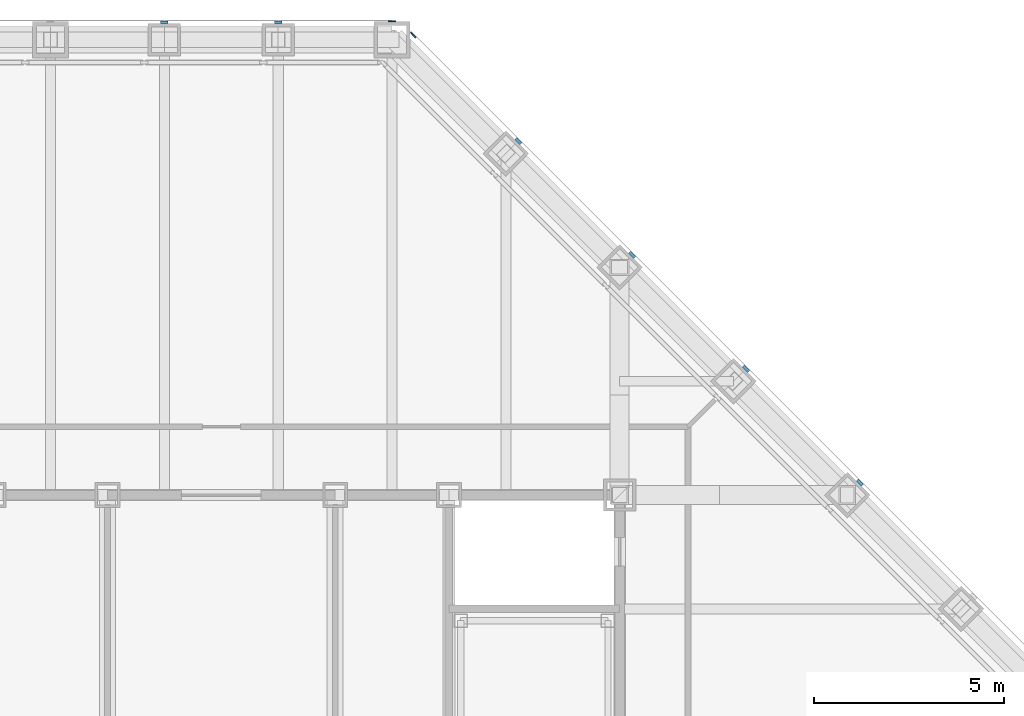
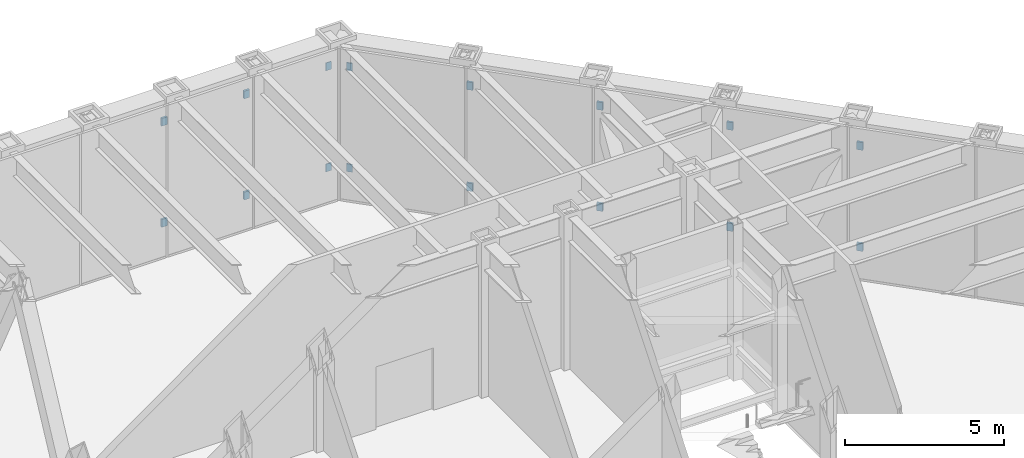
# One storey, part 18 of 28: 16 discrete accessories.
"""IFC4 building model written with IfcOpenShell, lengths in metres."""

from ifc_helpers import new_model, si_unit, direction, frame, origin, origin_2d, place, context, subcontext, project, spatial, rectangle, extrude, material, type_object, element, save


model = new_model("IFC4")

# Units and contexts
model_context = context("Model", 3, precision=1e-05, world=origin(), true_north=direction((0.0, 1.0)))
body_context = subcontext(model_context, "Body", "Model", "MODEL_VIEW")
ifc_project = project(units=[si_unit("LENGTHUNIT", "METRE"), si_unit("AREAUNIT", "SQUARE_METRE"), si_unit("VOLUMEUNIT", "CUBIC_METRE"), si_unit("PLANEANGLEUNIT", "RADIAN"), si_unit("MASSUNIT", "GRAM", prefix="KILO")], contexts=[model_context])

# Site, building, storey
site_placement = place(None, origin())
site = spatial("IfcSite", under=ifc_project, at=site_placement, CompositionType="ELEMENT")
building_placement = place(site_placement, origin())
building = spatial("IfcBuilding", under=site, at=building_placement, Name="Chuquiago Exchange Tower", CompositionType="ELEMENT")
storey_placement = place(building_placement, frame((0.0, 0.0, 174.0)))
storey = spatial("IfcBuildingStorey", under=building, at=storey_placement, Name="L38", CompositionType="ELEMENT", Elevation=174.0)

# Discrete accessories
ifc_material_1 = material(Name="Stainless steel plate bracket", Category="steel")
discrete_accessory_type_1 = type_object("IfcDiscreteAccessoryType", Name="GB4 cladding bracket 75", PredefinedType="BRACKET", material=ifc_material_1)
for number, where, z_axis, x_axis, name in (
    (1, (39.326904296875, 33.3271484375, 0.35009765625), (0.0, 0.0, 1.0), (-0.707106781187, 0.707106781187, 0.0), "Cladding bracket L38 NE"),
    (2, (39.326904296875, 33.3271484375, 4.23974609375), (0.0, 0.0, 1.0), (-0.707106781187, 0.707106781187, 0.0), "Cladding bracket L38 NE"),
    (3, (36.3271484375, 36.326904296875, 0.35009765625), (0.0, 0.0, 1.0), (-0.707106781187, 0.707106781187, 0.0), "Cladding bracket L38 NE"),
    (4, (36.3271484375, 36.326904296875, 4.23974609375), (0.0, 0.0, 1.0), (-0.707106781187, 0.707106781187, 0.0), "Cladding bracket L38 NE"),
    (5, (33.326904296875, 39.3271484375, 0.35009765625), (0.0, 0.0, 1.0), (-0.707106781187, 0.707106781187, 0.0), "Cladding bracket L38 NE"),
    (6, (33.326904296875, 39.3271484375, 4.23974609375), (0.0, 0.0, 1.0), (-0.707106781187, 0.707106781187, 0.0), "Cladding bracket L38 NE"),
    (7, (30.326904296875, 42.326904296875, 0.35009765625), (0.0, 0.0, 1.0), (-0.707106781187, 0.707106781187, 0.0), "Cladding bracket L38 NE"),
    (8, (30.326904296875, 42.326904296875, 4.23974609375), (0.0, 0.0, 1.0), (-0.707106781187, 0.707106781187, 0.0), "Cladding bracket L38 NE"),
    (9, (24.0, 45.46240234375, 0.35009765625), (0.0, 0.0, 1.0), (-1.0, 0.0, 0.0), "Cladding bracket L38 N"),
    (10, (24.0, 45.46240234375, 4.23974609375), (0.0, 0.0, 1.0), (-1.0, 0.0, 0.0), "Cladding bracket L38 N"),
    (11, (21.0, 45.46240234375, 0.35009765625), (0.0, 0.0, 1.0), (-1.0, 0.0, 0.0), "Cladding bracket L38 N"),
    (12, (21.0, 45.46240234375, 4.23974609375), (0.0, 0.0, 1.0), (-1.0, 0.0, 0.0), "Cladding bracket L38 N"),
):
    element("IfcDiscreteAccessory", number, at=place(storey_placement, frame(where, z_axis=z_axis, x_axis=x_axis)), inside=storey, type_object=discrete_accessory_type_1, Name=name, PredefinedType="BRACKET", context=body_context, shape_type="SweptSolid", body=[
        extrude(rectangle(XDim=0.199951171875, YDim=0.074951171875, at=origin_2d()), origin(), (0.0, 0.0, 1.0), 0.300048828125),
    ])
ifc_material_2 = material(Name="Stainless steel plate bracket", Category="steel")
discrete_accessory_type_2 = type_object("IfcDiscreteAccessoryType", Name="GB6 cladding bracket 35", PredefinedType="BRACKET", material=ifc_material_2)
for number, where, z_axis, x_axis, name in (
    (13, (27.55810546875, 45.123779296875, 0.35009765625), (0.0, 0.0, 1.0), (-0.707106781187, 0.707106781187, 0.0), "Cladding bracket L38 NE"),
    (14, (27.55810546875, 45.123779296875, 4.23974609375), (0.0, 0.0, 1.0), (-0.707106781187, 0.707106781187, 0.0), "Cladding bracket L38 NE"),
):
    element("IfcDiscreteAccessory", number, at=place(storey_placement, frame(where, z_axis=z_axis, x_axis=x_axis)), inside=storey, type_object=discrete_accessory_type_2, Name=name, PredefinedType="BRACKET", context=body_context, shape_type="SweptSolid", body=[
        extrude(rectangle(XDim=0.199951171875, YDim=0.035400390625, at=origin_2d()), origin(), (0.0, 0.0, 1.0), 0.300048828125),
    ])
ifc_material_3 = material(Name="Stainless steel plate bracket", Category="steel")
discrete_accessory_type_3 = type_object("IfcDiscreteAccessoryType", Name="GB7 cladding bracket 25", PredefinedType="BRACKET", material=ifc_material_3)
for number, where, z_axis, x_axis, name in (
    (15, (27.0, 45.487548828125, 0.35009765625), (0.0, 0.0, 1.0), (-1.0, 0.0, 0.0), "Cladding bracket L38 N"),
    (16, (27.0, 45.487548828125, 4.23974609375), (0.0, 0.0, 1.0), (-1.0, 0.0, 0.0), "Cladding bracket L38 N"),
):
    element("IfcDiscreteAccessory", number, at=place(storey_placement, frame(where, z_axis=z_axis, x_axis=x_axis)), inside=storey, type_object=discrete_accessory_type_3, Name=name, PredefinedType="BRACKET", context=body_context, shape_type="SweptSolid", body=[
        extrude(rectangle(XDim=0.199951171875, YDim=0.02490234375, at=origin_2d()), origin(), (0.0, 0.0, 1.0), 0.300048828125),
    ])

save(model, "model.ifc")
